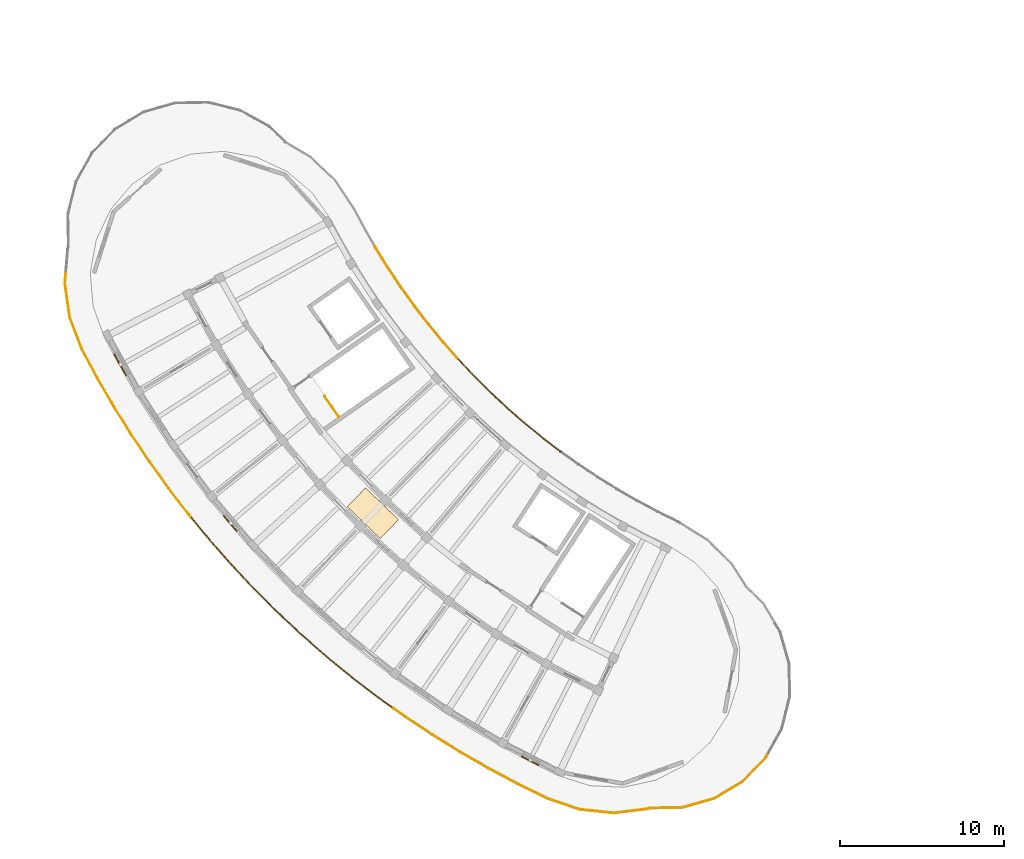
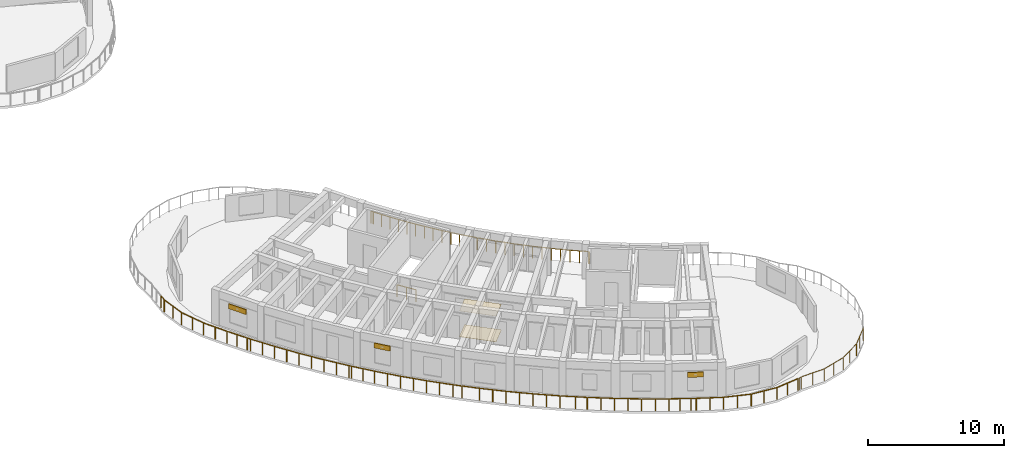
# One storey, part 31 of 41: 10 railings, 3 shading devices, 2 coverings.
"""IFC4 building model written with IfcOpenShell, lengths in metres."""

from ifc_helpers import new_model, si_unit, direction, frame, origin, origin_2d, place, context, subcontext, project, spatial, rectangle, circle, extrude, material, layer, layer_set, type_object, element, save


model = new_model("IFC4")

# Units and contexts
model_context = context("Model", 3, precision=1e-05, world=origin(), true_north=direction((0.0, 1.0)))
body_context = subcontext(model_context, "Body", "Model", "MODEL_VIEW")
ifc_project = project(units=[si_unit("LENGTHUNIT", "METRE"), si_unit("AREAUNIT", "SQUARE_METRE"), si_unit("VOLUMEUNIT", "CUBIC_METRE"), si_unit("PLANEANGLEUNIT", "RADIAN"), si_unit("MASSUNIT", "GRAM", prefix="KILO")], contexts=[model_context])

# Site, building, storey
site_placement = place(None, origin())
site = spatial("IfcSite", under=ifc_project, at=site_placement, CompositionType="ELEMENT")
building_placement = place(site_placement, origin())
building = spatial("IfcBuilding", under=site, at=building_placement, Name="Tanwirah Colonnade Gardens", CompositionType="ELEMENT")
storey_placement = place(building_placement, frame((0.0, 0.0, 35.719970703125)))
storey = spatial("IfcBuildingStorey", under=building, at=storey_placement, Name="L10", CompositionType="ELEMENT", Elevation=35.719970703125)

# Railings
ifc_material_1 = material(Name="Precast concrete C40/50", Category="concrete")
railing_type_1 = type_object("IfcRailingType", Name="BAL-EXT110", PredefinedType="BALUSTRADE", material=ifc_material_1)
railing_1_placement = place(storey_placement, frame((28.326171875, 42.673583984375, 0.0)))
element("IfcRailing", 1, at=railing_1_placement, inside=storey, type_object=railing_type_1, Name="Block C L10 Balcony Ribbon Balustrade 2", PredefinedType="BALUSTRADE", context=body_context, shape_type="SweptSolid", body=[
    extrude(circle(Radius=0.02392578125, at=origin_2d()), frame((0.015625, -0.027099609375, 1.076171875), z_axis=(0.501144215537, -0.865363782021, 0.0), x_axis=(0.865363782021, 0.501144215537, 0.0)), (0.0, 0.0, 1.0), 0.11572265625),
    extrude(circle(Radius=0.02392578125, at=origin_2d()), frame((0.107177734375, -0.18310546875, 1.076171875), z_axis=(0.529022666758, -0.848607693847, 0.0), x_axis=(0.848607693847, 0.529022666758, 0.0)), (0.0, 0.0, 1.0), 1.33154296875),
    extrude(circle(Radius=0.02392578125, at=origin_2d()), frame((0.8466796875, -1.36767578125, 1.076171875), z_axis=(0.55655786635, -0.830808847692, 0.0), x_axis=(0.830808847692, 0.55655786635, 0.0)), (0.0, 0.0, 1.0), 1.33154296875),
    extrude(circle(Radius=0.02392578125, at=origin_2d()), frame((1.625, -2.527587890625, 1.076171875), z_axis=(0.58342309678, -0.812168387802, 0.0), x_axis=(0.812168387802, 0.58342309678, 0.0)), (0.0, 0.0, 1.0), 1.331298828125),
    extrude(circle(Radius=0.02392578125, at=origin_2d()), frame((2.4404296875, -3.661376953125, 1.076171875), z_axis=(0.609651512095, -0.792669561546, 0.0), x_axis=(0.792669561546, 0.609651512095, 0.0)), (0.0, 0.0, 1.0), 1.33154296875),
    extrude(circle(Radius=0.02392578125, at=origin_2d()), frame((3.292724609375, -4.767578125, 1.076171875), z_axis=(0.635209885743, -0.77233956331, 0.0), x_axis=(0.77233956331, 0.635209885743, 0.0)), (0.0, 0.0, 1.0), 1.33154296875),
    extrude(circle(Radius=0.02392578125, at=origin_2d()), frame((4.180908203125, -5.845703125, 1.076171875), z_axis=(0.660133357115, -0.751148421302, 0.0), x_axis=(0.751148421302, 0.660133357115, 0.0)), (0.0, 0.0, 1.0), 1.2734375),
    extrude(circle(Radius=0.02099609375, at=origin_2d()), origin(), (0.0, 0.0, 1.0), 1.049072265625),
    extrude(circle(Radius=0.02099609375, at=origin_2d()), frame((0.08935546875, -0.154296875, 0.0)), (0.0, 0.0, 1.0), 1.049072265625),
    extrude(circle(Radius=0.02099609375, at=origin_2d()), frame((0.45947265625, -0.748046875, 0.0)), (0.0, 0.0, 1.0), 1.049072265625),
    extrude(circle(Radius=0.02099609375, at=origin_2d()), frame((0.828125, -1.339599609375, 0.0)), (0.0, 0.0, 1.0), 1.049072265625),
    extrude(circle(Radius=0.02099609375, at=origin_2d()), frame((1.21728515625, -1.9208984375, 0.0)), (0.0, 0.0, 1.0), 1.049072265625),
    extrude(circle(Radius=0.02099609375, at=origin_2d()), frame((1.605224609375, -2.5, 0.0)), (0.0, 0.0, 1.0), 1.049072265625),
    extrude(circle(Radius=0.02099609375, at=origin_2d()), frame((2.01318359375, -3.068359375, 0.0)), (0.0, 0.0, 1.0), 1.049072265625),
    extrude(circle(Radius=0.02099609375, at=origin_2d()), frame((2.419921875, -3.63427734375, 0.0)), (0.0, 0.0, 1.0), 1.049072265625),
    extrude(circle(Radius=0.02099609375, at=origin_2d()), frame((2.84619140625, -4.18896484375, 0.0)), (0.0, 0.0, 1.0), 1.049072265625),
    extrude(circle(Radius=0.02099609375, at=origin_2d()), frame((3.271240234375, -4.741455078125, 0.0)), (0.0, 0.0, 1.0), 1.049072265625),
    extrude(circle(Radius=0.02099609375, at=origin_2d()), frame((3.7158203125, -5.28173828125, 0.0)), (0.0, 0.0, 1.0), 1.049072265625),
    extrude(circle(Radius=0.02099609375, at=origin_2d()), frame((4.158447265625, -5.820068359375, 0.0)), (0.0, 0.0, 1.0), 1.049072265625),
    extrude(circle(Radius=0.02099609375, at=origin_2d()), frame((5.0419921875, -6.82568359375, 0.0)), (0.0, 0.0, 1.0), 1.049072265625),
])
railing_2_placement = place(storey_placement, frame((33.3681640625, 35.847900390625, 0.0)))
element("IfcRailing", 2, at=railing_2_placement, inside=storey, type_object=railing_type_1, Name="Block C L10 Balcony Ribbon Balustrade 3", PredefinedType="BALUSTRADE", context=body_context, shape_type="SweptSolid", body=[
    extrude(circle(Radius=0.02392578125, at=origin_2d()), frame((0.061767578125, -0.068115234375, 1.076171875), z_axis=(0.684424509294, -0.729083733928, 0.0), x_axis=(0.729083733928, 0.684424509294, 0.0)), (0.0, 0.0, 1.0), 1.33154296875),
    extrude(circle(Radius=0.02392578125, at=origin_2d()), frame((1.018310546875, -1.085693359375, 1.076171875), z_axis=(0.707894448134, -0.706318235855, 0.0), x_axis=(0.706318235855, 0.707894448134, 0.0)), (0.0, 0.0, 1.0), 1.33154296875),
    extrude(circle(Radius=0.02392578125, at=origin_2d()), frame((2.0078125, -2.071533203125, 1.076171875), z_axis=(0.730612417562, -0.682792424756, 0.0), x_axis=(0.682792424756, 0.730612417562, 0.0)), (0.0, 0.0, 1.0), 1.331298828125),
    extrude(circle(Radius=0.02392578125, at=origin_2d()), frame((3.028564453125, -3.0244140625, 1.076171875), z_axis=(0.752565845379, -0.658517006894, 0.0), x_axis=(0.658517006894, 0.752565845379, 0.0)), (0.0, 0.0, 1.0), 1.33154296875),
    extrude(circle(Radius=0.02392578125, at=origin_2d()), frame((4.080322265625, -3.943359375, 1.076171875), z_axis=(0.773762182392, -0.633476191424, 0.0), x_axis=(0.633476191424, 0.773762182392, 0.0)), (0.0, 0.0, 1.0), 1.33154296875),
    extrude(circle(Radius=0.02392578125, at=origin_2d()), frame((5.161865234375, -4.827392578125, 1.076171875), z_axis=(0.793969886309, -0.607957087001, 0.0), x_axis=(0.607957087001, 0.793969886309, 0.0)), (0.0, 0.0, 1.0), 1.331298828125),
    extrude(circle(Radius=0.02099609375, at=origin_2d()), origin(), (0.0, 0.0, 1.0), 1.049072265625),
    extrude(circle(Radius=0.02099609375, at=origin_2d()), frame((0.040283203125, -0.04541015625, 0.0)), (0.0, 0.0, 1.0), 1.049072265625),
    extrude(circle(Radius=0.02099609375, at=origin_2d()), frame((0.517333984375, -0.5537109375, 0.0)), (0.0, 0.0, 1.0), 1.049072265625),
    extrude(circle(Radius=0.02099609375, at=origin_2d()), frame((0.994384765625, -1.061767578125, 0.0)), (0.0, 0.0, 1.0), 1.049072265625),
    extrude(circle(Radius=0.02099609375, at=origin_2d()), frame((1.489501953125, -1.55615234375, 0.0)), (0.0, 0.0, 1.0), 1.049072265625),
    extrude(circle(Radius=0.02099609375, at=origin_2d()), frame((1.98291015625, -2.04833984375, 0.0)), (0.0, 0.0, 1.0), 1.049072265625),
    extrude(circle(Radius=0.02099609375, at=origin_2d()), frame((2.494140625, -2.526123046875, 0.0)), (0.0, 0.0, 1.0), 1.049072265625),
    extrude(circle(Radius=0.02099609375, at=origin_2d()), frame((3.003173828125, -3.001953125, 0.0)), (0.0, 0.0, 1.0), 1.049072265625),
    extrude(circle(Radius=0.02099609375, at=origin_2d()), frame((3.52978515625, -3.462890625, 0.0)), (0.0, 0.0, 1.0), 1.049072265625),
    extrude(circle(Radius=0.02099609375, at=origin_2d()), frame((4.05419921875, -3.921875, 0.0)), (0.0, 0.0, 1.0), 1.049072265625),
    extrude(circle(Radius=0.02099609375, at=origin_2d()), frame((4.595458984375, -4.365234375, 0.0)), (0.0, 0.0, 1.0), 1.049072265625),
    extrude(circle(Radius=0.02099609375, at=origin_2d()), frame((5.134765625, -4.806640625, 0.0)), (0.0, 0.0, 1.0), 1.049072265625),
    extrude(circle(Radius=0.02099609375, at=origin_2d()), frame((5.6904296875, -5.23193359375, 0.0)), (0.0, 0.0, 1.0), 1.049072265625),
    extrude(circle(Radius=0.02099609375, at=origin_2d()), frame((6.24365234375, -5.65576171875, 0.0)), (0.0, 0.0, 1.0), 1.049072265625),
    extrude(circle(Radius=0.02099609375, at=origin_2d()), frame((6.294189453125, -5.69189453125, 0.0)), (0.0, 0.0, 1.0), 1.049072265625),
])
railing_3_placement = place(storey_placement, frame((52.2333984375, 11.68212890625, 0.0)))
element("IfcRailing", 3, at=railing_3_placement, inside=storey, type_object=railing_type_1, Name="Block C L10 Balcony Ribbon Balustrade 7", PredefinedType="BALUSTRADE", context=body_context, shape_type="SweptSolid", body=[
    extrude(circle(Radius=0.02392578125, at=origin_2d()), frame((-0.01513671875, -0.02734375, 1.076171875), z_axis=(-0.484709972142, -0.874674935565, 0.0), x_axis=(0.874674935565, -0.484709972142, 0.0)), (0.0, 0.0, 1.0), 0.115234375),
    extrude(circle(Radius=0.02392578125, at=origin_2d()), frame((-0.10791015625, -0.177978515625, 1.076171875), z_axis=(-0.694702613371, -0.719297072826, 0.0), x_axis=(0.719297072826, -0.694702613371, 0.0)), (0.0, 0.0, 1.0), 1.95263671875),
    extrude(circle(Radius=0.02392578125, at=origin_2d()), frame((-1.512939453125, -1.62109375, 1.076171875), z_axis=(-0.857172054551, -0.515030163095, 0.0), x_axis=(0.515030163095, -0.857172054551, 0.0)), (0.0, 0.0, 1.0), 1.95263671875),
    extrude(circle(Radius=0.02392578125, at=origin_2d()), frame((-3.243408203125, -2.6513671875, 1.076171875), z_axis=(-0.961262912287, -0.275633113871, 0.0), x_axis=(0.275633113871, -0.961262912287, 0.0)), (0.0, 0.0, 1.0), 1.95263671875),
    extrude(circle(Radius=0.02392578125, at=origin_2d()), frame((-5.181640625, -3.19873046875, 1.076171875), z_axis=(-0.999846714586, -0.017508493139, 0.0), x_axis=(0.017508493139, -0.999846714586, 0.0)), (0.0, 0.0, 1.0), 1.903564453125),
    extrude(circle(Radius=0.02392578125, at=origin_2d()), frame((-7.17138671875, -3.247802734375, 1.076171875), z_axis=(-0.941120146282, -0.338072285558, 0.0), x_axis=(0.338072285558, -0.941120146282, 0.0)), (0.0, 0.0, 1.0), 0.071044921875),
    extrude(circle(Radius=0.02392578125, at=origin_2d()), frame((-7.298583984375, -3.2861328125, 1.076171875), z_axis=(-0.992838592555, -0.119463505446, 0.0), x_axis=(0.119463505446, -0.992838592555, 0.0)), (0.0, 0.0, 1.0), 0.088623046875),
    extrude(circle(Radius=0.02099609375, at=origin_2d()), origin(), (0.0, 0.0, 1.0), 1.049072265625),
    extrude(circle(Radius=0.02099609375, at=origin_2d()), frame((-0.086181640625, -0.155517578125, 0.0)), (0.0, 0.0, 1.0), 1.049072265625),
    extrude(circle(Radius=0.02099609375, at=origin_2d()), frame((-0.7861328125, -0.88037109375, 0.0)), (0.0, 0.0, 1.0), 1.049072265625),
    extrude(circle(Radius=0.02099609375, at=origin_2d()), frame((-1.486083984375, -1.60498046875, 0.0)), (0.0, 0.0, 1.0), 1.049072265625),
    extrude(circle(Radius=0.02099609375, at=origin_2d()), frame((-2.349609375, -2.1240234375, 0.0)), (0.0, 0.0, 1.0), 1.049072265625),
    extrude(circle(Radius=0.02099609375, at=origin_2d()), frame((-3.21337890625, -2.642822265625, 0.0)), (0.0, 0.0, 1.0), 1.049072265625),
    extrude(circle(Radius=0.02099609375, at=origin_2d()), frame((-4.181884765625, -2.92041015625, 0.0)), (0.0, 0.0, 1.0), 1.049072265625),
    extrude(circle(Radius=0.02099609375, at=origin_2d()), frame((-5.150390625, -3.1982421875, 0.0)), (0.0, 0.0, 1.0), 1.049072265625),
    extrude(circle(Radius=0.02099609375, at=origin_2d()), frame((-6.13330078125, -3.21533203125, 0.0)), (0.0, 0.0, 1.0), 1.049072265625),
    extrude(circle(Radius=0.02099609375, at=origin_2d()), frame((-7.1162109375, -3.232666015625, 0.0)), (0.0, 0.0, 1.0), 1.049072265625),
    extrude(circle(Radius=0.02099609375, at=origin_2d()), frame((-7.267578125, -3.282470703125, 0.0)), (0.0, 0.0, 1.0), 1.049072265625),
    extrude(circle(Radius=0.02099609375, at=origin_2d()), frame((-7.417724609375, -3.300537109375, 0.0)), (0.0, 0.0, 1.0), 1.049072265625),
])
railing_4_placement = place(storey_placement, frame((44.815673828125, 8.381591796875, 0.0)))
element("IfcRailing", 4, at=railing_4_placement, inside=storey, type_object=railing_type_1, Name="Block C L10 Balcony Ribbon Balustrade 8", PredefinedType="BALUSTRADE", context=body_context, shape_type="SweptSolid", body=[
    extrude(circle(Radius=0.02392578125, at=origin_2d()), frame((-0.031005859375, -0.003662109375, 1.076171875), z_axis=(-0.992764796236, -0.120075223735, 0.0), x_axis=(0.120075223735, -0.992764796236, 0.0)), (0.0, 0.0, 1.0), 1.873046875),
    extrude(circle(Radius=0.02392578125, at=origin_2d()), frame((-1.95263671875, -0.229248046875, 1.076171875), z_axis=(-0.99458974046, 0.103880932666, 0.0), x_axis=(-0.103880932666, -0.99458974046, 0.0)), (0.0, 0.0, 1.0), 2.0244140625),
    extrude(circle(Radius=0.02392578125, at=origin_2d()), frame((-4.02685546875, -0.005615234375, 1.076171875), z_axis=(-0.946524776509, 0.322631132185, 0.0), x_axis=(-0.322631132185, -0.946524776509, 0.0)), (0.0, 0.0, 1.0), 2.0283203125),
    extrude(circle(Radius=0.02392578125, at=origin_2d()), frame((-6.00439453125, 0.6728515625, 1.076171875), z_axis=(-0.897357880306, 0.441303562927, 0.0), x_axis=(-0.441303562927, -0.897357880306, 0.0)), (0.0, 0.0, 1.0), 1.940185546875),
    extrude(circle(Radius=0.02392578125, at=origin_2d()), frame((-7.801025390625, 1.557373046875, 1.076171875), z_axis=(-0.882282497134, 0.470720294073, 0.0), x_axis=(-0.470720294073, -0.882282497134, 0.0)), (0.0, 0.0, 1.0), 0.3212890625),
    extrude(circle(Radius=0.02099609375, at=origin_2d()), origin(), (0.0, 0.0, 1.0), 1.049072265625),
    extrude(circle(Radius=0.02099609375, at=origin_2d()), frame((-0.9609375, -0.1162109375, 0.0)), (0.0, 0.0, 1.0), 1.049072265625),
    extrude(circle(Radius=0.02099609375, at=origin_2d()), frame((-1.921630859375, -0.232421875, 0.0)), (0.0, 0.0, 1.0), 1.049072265625),
    extrude(circle(Radius=0.02099609375, at=origin_2d()), frame((-2.95947265625, -0.1240234375, 0.0)), (0.0, 0.0, 1.0), 1.049072265625),
    extrude(circle(Radius=0.02099609375, at=origin_2d()), frame((-3.997314453125, -0.015625, 0.0)), (0.0, 0.0, 1.0), 1.049072265625),
    extrude(circle(Radius=0.02099609375, at=origin_2d()), frame((-4.98681640625, 0.32177734375, 0.0)), (0.0, 0.0, 1.0), 1.049072265625),
    extrude(circle(Radius=0.02099609375, at=origin_2d()), frame((-5.976318359375, 0.658935546875, 0.0)), (0.0, 0.0, 1.0), 1.049072265625),
    extrude(circle(Radius=0.02099609375, at=origin_2d()), frame((-6.875, 1.100830078125, 0.0)), (0.0, 0.0, 1.0), 1.049072265625),
    extrude(circle(Radius=0.02099609375, at=origin_2d()), frame((-7.7734375, 1.542724609375, 0.0)), (0.0, 0.0, 1.0), 1.049072265625),
    extrude(circle(Radius=0.02099609375, at=origin_2d()), frame((-8.112060546875, 1.723388671875, 0.0)), (0.0, 0.0, 1.0), 1.049072265625),
])
railing_5_placement = place(storey_placement, frame((36.70361328125, 10.10498046875, 0.0)))
element("IfcRailing", 5, at=railing_5_placement, inside=storey, type_object=railing_type_1, Name="Block C L10 Balcony Ribbon Balustrade 9", PredefinedType="BALUSTRADE", context=body_context, shape_type="SweptSolid", body=[
    extrude(circle(Radius=0.02392578125, at=origin_2d()), frame((-0.027587890625, 0.0146484375, 1.076171875), z_axis=(-0.88244870126, 0.470408641125, 0.0), x_axis=(-0.470408641125, -0.88244870126, 0.0)), (0.0, 0.0, 1.0), 1.560302734375),
    extrude(circle(Radius=0.02392578125, at=origin_2d()), frame((-1.459228515625, 0.779052734375, 1.076171875), z_axis=(-0.866598539642, 0.499005983021, 0.0), x_axis=(-0.499005983021, -0.866598539642, 0.0)), (0.0, 0.0, 1.0), 1.94384765625),
    extrude(circle(Radius=0.02392578125, at=origin_2d()), frame((-3.197509765625, 1.78125, 1.076171875), z_axis=(-0.84977735452, 0.527141771959, 0.0), x_axis=(-0.527141771959, -0.84977735452, 0.0)), (0.0, 0.0, 1.0), 1.9443359375),
    extrude(circle(Radius=0.02392578125, at=origin_2d()), frame((-4.90234375, 2.83984375, 1.076171875), z_axis=(-0.832069011603, 0.554672119301, 0.0), x_axis=(-0.554672119301, -0.832069011603, 0.0)), (0.0, 0.0, 1.0), 1.944091796875),
    extrude(circle(Radius=0.02392578125, at=origin_2d()), frame((-6.5712890625, 3.95361328125, 1.076171875), z_axis=(-0.813463953484, 0.581615333689, 0.0), x_axis=(-0.581615333689, -0.813463953484, 0.0)), (0.0, 0.0, 1.0), 0.794677734375),
    extrude(circle(Radius=0.02099609375, at=origin_2d()), origin(), (0.0, 0.0, 1.0), 1.049072265625),
    extrude(circle(Radius=0.02099609375, at=origin_2d()), frame((-0.716064453125, 0.3818359375, 0.0)), (0.0, 0.0, 1.0), 1.049072265625),
    extrude(circle(Radius=0.02099609375, at=origin_2d()), frame((-1.43212890625, 0.763427734375, 0.0)), (0.0, 0.0, 1.0), 1.049072265625),
    extrude(circle(Radius=0.02099609375, at=origin_2d()), frame((-2.301513671875, 1.26416015625, 0.0)), (0.0, 0.0, 1.0), 1.049072265625),
    extrude(circle(Radius=0.02099609375, at=origin_2d()), frame((-3.1708984375, 1.7646484375, 0.0)), (0.0, 0.0, 1.0), 1.049072265625),
    extrude(circle(Radius=0.02099609375, at=origin_2d()), frame((-4.0234375, 2.29345703125, 0.0)), (0.0, 0.0, 1.0), 1.049072265625),
    extrude(circle(Radius=0.02099609375, at=origin_2d()), frame((-4.876220703125, 2.822509765625, 0.0)), (0.0, 0.0, 1.0), 1.049072265625),
    extrude(circle(Radius=0.02099609375, at=origin_2d()), frame((-5.7109375, 3.37890625, 0.0)), (0.0, 0.0, 1.0), 1.049072265625),
    extrude(circle(Radius=0.02099609375, at=origin_2d()), frame((-6.5458984375, 3.935546875, 0.0)), (0.0, 0.0, 1.0), 1.049072265625),
    extrude(circle(Radius=0.02099609375, at=origin_2d()), frame((-7.2431640625, 4.43408203125, 0.0)), (0.0, 0.0, 1.0), 1.049072265625),
])
railing_6_placement = place(storey_placement, frame((29.46044921875, 14.5390625, 0.0)))
element("IfcRailing", 6, at=railing_6_placement, inside=storey, type_object=railing_type_1, Name="Block C L10 Balcony Ribbon Balustrade 10", PredefinedType="BALUSTRADE", context=body_context, shape_type="SweptSolid", body=[
    extrude(circle(Radius=0.02392578125, at=origin_2d()), frame((-0.025390625, 0.01806640625, 1.076171875), z_axis=(-0.813503782758, 0.581559623288, 0.0), x_axis=(-0.581559623288, -0.813503782758, 0.0)), (0.0, 0.0, 1.0), 1.0869140625),
    extrude(circle(Radius=0.02392578125, at=origin_2d()), frame((-0.9599609375, 0.6875, 1.076171875), z_axis=(-0.794033083107, 0.607874545388, 0.0), x_axis=(-0.607874545388, -0.794033083107, 0.0)), (0.0, 0.0, 1.0), 1.944091796875),
    extrude(circle(Radius=0.02392578125, at=origin_2d()), frame((-2.552490234375, 1.907958984375, 1.076171875), z_axis=(-0.773707873236, 0.633542521771, 0.0), x_axis=(-0.633542521771, -0.773707873236, 0.0)), (0.0, 0.0, 1.0), 1.944091796875),
    extrude(circle(Radius=0.02392578125, at=origin_2d()), frame((-4.104248046875, 3.179931640625, 1.076171875), z_axis=(-0.752508858808, 0.658582126553, 0.0), x_axis=(-0.658582126553, -0.752508858808, 0.0)), (0.0, 0.0, 1.0), 1.944091796875),
    extrude(circle(Radius=0.02392578125, at=origin_2d()), frame((-5.61376953125, 4.502197265625, 1.076171875), z_axis=(-0.730640324135, 0.682762562498, 0.0), x_axis=(-0.682762562498, -0.730640324135, 0.0)), (0.0, 0.0, 1.0), 1.268310546875),
    extrude(circle(Radius=0.02099609375, at=origin_2d()), origin(), (0.0, 0.0, 1.0), 1.049072265625),
    extrude(circle(Radius=0.02099609375, at=origin_2d()), frame((-0.93505859375, 0.66845703125, 0.0)), (0.0, 0.0, 1.0), 1.049072265625),
    extrude(circle(Radius=0.02099609375, at=origin_2d()), frame((-1.731689453125, 1.2783203125, 0.0)), (0.0, 0.0, 1.0), 1.049072265625),
    extrude(circle(Radius=0.02099609375, at=origin_2d()), frame((-2.5283203125, 1.88818359375, 0.0)), (0.0, 0.0, 1.0), 1.049072265625),
    extrude(circle(Radius=0.02099609375, at=origin_2d()), frame((-3.3046875, 2.52392578125, 0.0)), (0.0, 0.0, 1.0), 1.049072265625),
    extrude(circle(Radius=0.02099609375, at=origin_2d()), frame((-4.080810546875, 3.159423828125, 0.0)), (0.0, 0.0, 1.0), 1.049072265625),
    extrude(circle(Radius=0.02099609375, at=origin_2d()), frame((-4.8359375, 3.8203125, 0.0)), (0.0, 0.0, 1.0), 1.049072265625),
    extrude(circle(Radius=0.02099609375, at=origin_2d()), frame((-5.5908203125, 4.48095703125, 0.0)), (0.0, 0.0, 1.0), 1.049072265625),
    extrude(circle(Radius=0.02099609375, at=origin_2d()), frame((-6.563232421875, 5.3896484375, 0.0)), (0.0, 0.0, 1.0), 1.049072265625),
])
railing_7_placement = place(storey_placement, frame((22.897216796875, 19.9287109375, 0.0)))
element("IfcRailing", 7, at=railing_7_placement, inside=storey, type_object=railing_type_1, Name="Block C L10 Balcony Ribbon Balustrade 11", PredefinedType="BALUSTRADE", context=body_context, shape_type="SweptSolid", body=[
    extrude(circle(Radius=0.02392578125, at=origin_2d()), frame((-0.02294921875, 0.021240234375, 1.076171875), z_axis=(-0.73055044851, 0.682858727836, 0.0), x_axis=(-0.682858727836, -0.73055044851, 0.0)), (0.0, 0.0, 1.0), 0.61328125),
    extrude(circle(Radius=0.02392578125, at=origin_2d()), frame((-0.515869140625, 0.4833984375, 1.076171875), z_axis=(-0.707897217537, 0.706315460261, 0.0), x_axis=(-0.706315460261, -0.707897217537, 0.0)), (0.0, 0.0, 1.0), 1.944091796875),
    extrude(circle(Radius=0.02392578125, at=origin_2d()), frame((-1.935546875, 1.9013671875, 1.076171875), z_axis=(-0.684365955264, 0.729138696871, 0.0), x_axis=(-0.729138696871, -0.684365955264, 0.0)), (0.0, 0.0, 1.0), 1.944091796875),
    extrude(circle(Radius=0.02392578125, at=origin_2d()), frame((-3.30810546875, 3.365234375, 1.076171875), z_axis=(-0.660199900943, 0.751089935224, 0.0), x_axis=(-0.751089935224, -0.660199900943, 0.0)), (0.0, 0.0, 1.0), 1.944091796875),
    extrude(circle(Radius=0.02392578125, at=origin_2d()), frame((-4.6318359375, 4.873046875, 1.076171875), z_axis=(-0.635180734155, 0.772363538082, 0.0), x_axis=(-0.772363538082, -0.635180734155, 0.0)), (0.0, 0.0, 1.0), 1.741943359375),
    extrude(circle(Radius=0.02099609375, at=origin_2d()), origin(), (0.0, 0.0, 1.0), 1.049072265625),
    extrude(circle(Radius=0.02099609375, at=origin_2d()), frame((-0.49365234375, 0.46142578125, 0.0)), (0.0, 0.0, 1.0), 1.049072265625),
    extrude(circle(Radius=0.02099609375, at=origin_2d()), frame((-1.203857421875, 1.169921875, 0.0)), (0.0, 0.0, 1.0), 1.049072265625),
    extrude(circle(Radius=0.02099609375, at=origin_2d()), frame((-1.9140625, 1.878662109375, 0.0)), (0.0, 0.0, 1.0), 1.049072265625),
    extrude(circle(Radius=0.02099609375, at=origin_2d()), frame((-2.6005859375, 2.6103515625, 0.0)), (0.0, 0.0, 1.0), 1.049072265625),
    extrude(circle(Radius=0.02099609375, at=origin_2d()), frame((-3.287353515625, 3.341796875, 0.0)), (0.0, 0.0, 1.0), 1.049072265625),
    extrude(circle(Radius=0.02099609375, at=origin_2d()), frame((-3.94970703125, 4.09521484375, 0.0)), (0.0, 0.0, 1.0), 1.049072265625),
    extrude(circle(Radius=0.02099609375, at=origin_2d()), frame((-4.612060546875, 4.848876953125, 0.0)), (0.0, 0.0, 1.0), 1.049072265625),
    extrude(circle(Radius=0.02099609375, at=origin_2d()), frame((-5.18505859375, 5.5458984375, 0.0)), (0.0, 0.0, 1.0), 1.049072265625),
    extrude(circle(Radius=0.02099609375, at=origin_2d()), frame((-5.75830078125, 6.24267578125, 0.0)), (0.0, 0.0, 1.0), 1.049072265625),
])
railing_8_placement = place(storey_placement, frame((17.138916015625, 26.17138671875, 0.0)))
element("IfcRailing", 8, at=railing_8_placement, inside=storey, type_object=railing_type_1, Name="Block C L10 Balcony Ribbon Balustrade 12", PredefinedType="BALUSTRADE", context=body_context, shape_type="SweptSolid", body=[
    extrude(circle(Radius=0.02392578125, at=origin_2d()), frame((-0.019775390625, 0.024169921875, 1.076171875), z_axis=(-0.635537833874, 0.772069725941, 0.0), x_axis=(-0.772069725941, -0.635537833874, 0.0)), (0.0, 0.0, 1.0), 0.1396484375),
    extrude(circle(Radius=0.02392578125, at=origin_2d()), frame((-0.1474609375, 0.1806640625, 1.076171875), z_axis=(-0.609669601555, 0.7926556484, 0.0), x_axis=(-0.7926556484, -0.609669601555, 0.0)), (0.0, 0.0, 1.0), 1.944091796875),
    extrude(circle(Radius=0.02392578125, at=origin_2d()), frame((-1.3701171875, 1.77197265625, 1.076171875), z_axis=(-0.583285007996, 0.812267566413, 0.0), x_axis=(-0.812267566413, -0.583285007996, 0.0)), (0.0, 0.0, 1.0), 1.944091796875),
    extrude(circle(Radius=0.02392578125, at=origin_2d()), frame((-2.53955078125, 3.40234375, 1.076171875), z_axis=(-0.556495801451, 0.830850421537, 0.0), x_axis=(-0.830850421537, -0.556495801451, 0.0)), (0.0, 0.0, 1.0), 1.944091796875),
    extrude(circle(Radius=0.02392578125, at=origin_2d()), frame((-3.655517578125, 5.0703125, 1.076171875), z_axis=(-0.529003375217, 0.848619719903, 0.0), x_axis=(-0.848619719903, -0.529003375217, 0.0)), (0.0, 0.0, 1.0), 1.944091796875),
    extrude(circle(Radius=0.02392578125, at=origin_2d()), frame((-4.716064453125, 6.773681640625, 1.076171875), z_axis=(-0.501071731145, 0.865405754688, 0.0), x_axis=(-0.865405754688, -0.501071731145, 0.0)), (0.0, 0.0, 1.0), 0.208984375),
    extrude(circle(Radius=0.02099609375, at=origin_2d()), origin(), (0.0, 0.0, 1.0), 1.049072265625),
    extrude(circle(Radius=0.02099609375, at=origin_2d()), frame((-0.12841796875, 0.156005859375, 0.0)), (0.0, 0.0, 1.0), 1.049072265625),
    extrude(circle(Radius=0.02099609375, at=origin_2d()), frame((-0.740234375, 0.951171875, 0.0)), (0.0, 0.0, 1.0), 1.049072265625),
    extrude(circle(Radius=0.02099609375, at=origin_2d()), frame((-1.351806640625, 1.74658203125, 0.0)), (0.0, 0.0, 1.0), 1.049072265625),
    extrude(circle(Radius=0.02099609375, at=origin_2d()), frame((-1.93701171875, 2.5615234375, 0.0)), (0.0, 0.0, 1.0), 1.049072265625),
    extrude(circle(Radius=0.02099609375, at=origin_2d()), frame((-2.522216796875, 3.37646484375, 0.0)), (0.0, 0.0, 1.0), 1.049072265625),
    extrude(circle(Radius=0.02099609375, at=origin_2d()), frame((-3.08056640625, 4.2099609375, 0.0)), (0.0, 0.0, 1.0), 1.049072265625),
    extrude(circle(Radius=0.02099609375, at=origin_2d()), frame((-3.638916015625, 5.043701171875, 0.0)), (0.0, 0.0, 1.0), 1.049072265625),
    extrude(circle(Radius=0.02099609375, at=origin_2d()), frame((-4.169677734375, 5.89501953125, 0.0)), (0.0, 0.0, 1.0), 1.049072265625),
    extrude(circle(Radius=0.02099609375, at=origin_2d()), frame((-4.700439453125, 6.74658203125, 0.0)), (0.0, 0.0, 1.0), 1.049072265625),
    extrude(circle(Radius=0.02099609375, at=origin_2d()), frame((-4.83642578125, 6.9814453125, 0.0)), (0.0, 0.0, 1.0), 1.049072265625),
])
railing_9_placement = place(storey_placement, frame((12.302490234375, 33.15283203125, 0.0)))
element("IfcRailing", 9, at=railing_9_placement, inside=storey, type_object=railing_type_1, Name="Block C L10 Balcony Ribbon Balustrade 13", PredefinedType="BALUSTRADE", context=body_context, shape_type="SweptSolid", body=[
    extrude(circle(Radius=0.02392578125, at=origin_2d()), frame((-0.015625, 0.027099609375, 1.076171875), z_axis=(-0.500919787965, 0.865493712296, 0.0), x_axis=(-0.865493712296, -0.500919787965, 0.0)), (0.0, 0.0, 1.0), 1.672607421875),
    extrude(circle(Radius=0.02392578125, at=origin_2d()), frame((-0.8837890625, 1.529296875, 1.076171875), z_axis=(-0.472390551626, 0.881389338905, 0.0), x_axis=(-0.881389338905, -0.472390551626, 0.0)), (0.0, 0.0, 1.0), 1.940185546875),
    extrude(circle(Radius=0.02392578125, at=origin_2d()), frame((-1.826416015625, 3.296142578125, 1.076171875), z_axis=(-0.355432017333, 0.934702134937, 0.0), x_axis=(-0.934702134937, -0.355432017333, 0.0)), (0.0, 0.0, 1.0), 2.0283203125),
    extrude(circle(Radius=0.02392578125, at=origin_2d()), frame((-2.562744140625, 5.252197265625, 1.076171875), z_axis=(-0.138521623248, 0.990359409453, 0.0), x_axis=(-0.990359409453, -0.138521623248, 0.0)), (0.0, 0.0, 1.0), 2.024169921875),
    extrude(circle(Radius=0.02392578125, at=origin_2d()), frame((-2.8447265625, 7.319091796875, 1.076171875), z_axis=(0.085187946181, 0.996364899937, 0.0), x_axis=(-0.996364899937, 0.085187946181, 0.0)), (0.0, 0.0, 1.0), 0.522216796875),
    extrude(circle(Radius=0.02099609375, at=origin_2d()), origin(), (0.0, 0.0, 1.0), 1.049072265625),
    extrude(circle(Radius=0.02099609375, at=origin_2d()), frame((-0.4345703125, 0.7509765625, 0.0)), (0.0, 0.0, 1.0), 1.049072265625),
    extrude(circle(Radius=0.02099609375, at=origin_2d()), frame((-0.869140625, 1.501708984375, 0.0)), (0.0, 0.0, 1.0), 1.049072265625),
    extrude(circle(Radius=0.02099609375, at=origin_2d()), frame((-1.34228515625, 2.38427734375, 0.0)), (0.0, 0.0, 1.0), 1.049072265625),
    extrude(circle(Radius=0.02099609375, at=origin_2d()), frame((-1.815185546875, 3.266845703125, 0.0)), (0.0, 0.0, 1.0), 1.049072265625),
    extrude(circle(Radius=0.02099609375, at=origin_2d()), frame((-2.186767578125, 4.244140625, 0.0)), (0.0, 0.0, 1.0), 1.049072265625),
    extrude(circle(Radius=0.02099609375, at=origin_2d()), frame((-2.558349609375, 5.22119140625, 0.0)), (0.0, 0.0, 1.0), 1.049072265625),
    extrude(circle(Radius=0.02099609375, at=origin_2d()), frame((-2.702880859375, 6.25439453125, 0.0)), (0.0, 0.0, 1.0), 1.049072265625),
    extrude(circle(Radius=0.02099609375, at=origin_2d()), frame((-2.847412109375, 7.287841796875, 0.0)), (0.0, 0.0, 1.0), 1.049072265625),
    extrude(circle(Radius=0.02099609375, at=origin_2d()), frame((-2.797607421875, 7.870361328125, 0.0)), (0.0, 0.0, 1.0), 1.049072265625),
])

# Coverings
ifc_material_2 = material(Name="Acoustic perforated gypsum ceiling board")
ifc_layer_1 = layer(ifc_material_2, 0.014892578125)
ifc_layer_set_1 = layer_set([ifc_layer_1], Name="Acoustic perforated gypsum ceiling board")
covering_type_1 = type_object("IfcCoveringType", Name="COV-CEIL15", PredefinedType="CEILING", material=ifc_layer_set_1)
covering_1_placement = place(storey_placement, frame((28.2177734375, 26.410888671875, 2.3125), z_axis=(0.0, 0.0, 1.0), x_axis=(0.719339800339, -0.694658370459, 0.0)))
element("IfcCovering", 10, at=covering_1_placement, inside=storey, type_object=covering_type_1, Name="Block C L10 Corridor Acoustic Ceiling", PredefinedType="CEILING", context=body_context, shape_type="SweptSolid", body=[
    extrude(rectangle(XDim=2.800048828125, YDim=1.60009765625, at=origin_2d()), origin(), (0.0, 0.0, 1.0), 0.014892578125),
])
ifc_material_3 = material(Name="Honed Abu Dhabi limestone terrazzo flooring", Category="masonry")
ifc_layer_2 = layer(ifc_material_3, 0.02001953125)
ifc_layer_set_2 = layer_set([ifc_layer_2], Name="Honed Abu Dhabi limestone terrazzo flooring")
covering_type_2 = type_object("IfcCoveringType", Name="COV-FLR20", PredefinedType="FLOORING", material=ifc_layer_set_2)
covering_2_placement = place(storey_placement, frame((28.2177734375, 26.410888671875, 0.0), z_axis=(0.0, 0.0, 1.0), x_axis=(0.719339800339, -0.694658370459, 0.0)))
element("IfcCovering", 11, at=covering_2_placement, inside=storey, type_object=covering_type_2, Name="Block C L10 Corridor Terrazzo Flooring", PredefinedType="FLOORING", context=body_context, shape_type="SweptSolid", body=[
    extrude(rectangle(XDim=2.800048828125, YDim=1.60009765625, at=origin_2d()), origin(), (0.0, 0.0, 1.0), 0.02001953125),
])

# Railing
ifc_material_4 = material(Name="Powder-coated galvanized steel", Category="steel")
railing_type_2 = type_object("IfcRailingType", Name="GRD-ST110", PredefinedType="GUARDRAIL", material=ifc_material_4)
railing_10_placement = place(storey_placement, frame((26.148193359375, 32.29052734375, 0.0)))
element("IfcRailing", 12, at=railing_10_placement, inside=storey, type_object=railing_type_2, Name="L10 ST-C1 top well guard 1", PredefinedType="GUARDRAIL", context=body_context, shape_type="SweptSolid", body=[
    extrude(circle(Radius=0.02392578125, at=origin_2d()), frame((-0.017822265625, 0.025634765625, 1.076171875), z_axis=(-0.573579377721, 0.819149984711, 0.0), x_axis=(-0.819149984711, -0.573579377721, 0.0)), (0.0, 0.0, 1.0), 1.4775390625),
    extrude(circle(Radius=0.02099609375, at=origin_2d()), origin(), (0.0, 0.0, 1.0), 1.049072265625),
    extrude(circle(Radius=0.02099609375, at=origin_2d()), frame((-0.441650390625, 0.630859375, 0.0)), (0.0, 0.0, 1.0), 1.049072265625),
    extrude(circle(Radius=0.02099609375, at=origin_2d()), frame((-0.88330078125, 1.261474609375, 0.0)), (0.0, 0.0, 1.0), 1.049072265625),
])

# Shading devices
ifc_material_5 = material(Name="Perforated architectural bronze aluminium", Category="aluminium")
ifc_layer_3 = layer(ifc_material_5, 0.050048828125)
ifc_layer_set_3 = layer_set([ifc_layer_3], Name="Perforated architectural bronze aluminium")
shading_device_type = type_object("IfcShadingDeviceType", Name="SHD-OVH1", PredefinedType="SHUTTER", material=ifc_layer_set_3)
shading_device_1_placement = place(storey_placement, frame((12.813720703125, 35.4580078125, 1.8701171875), z_axis=(0.0, 0.0, 1.0), x_axis=(0.486716582508, -0.873559939736, 0.0)))
element("IfcShadingDevice", 13, at=shading_device_1_placement, inside=storey, type_object=shading_device_type, Name="Solar shading louver hood C-L10-03", PredefinedType="SHUTTER", context=body_context, shape_type="SweptSolid", body=[
    extrude(rectangle(XDim=1.5, YDim=0.06005859375, at=origin_2d()), origin(), (0.0, 0.0, 1.0), 0.449951171875),
])
shading_device_2_placement = place(storey_placement, frame((19.52099609375, 25.789306640625, 1.98486328125), z_axis=(0.0, 0.0, 1.0), x_axis=(0.647788628629, -0.761820118282, 0.0)))
element("IfcShadingDevice", 14, at=shading_device_2_placement, inside=storey, type_object=shading_device_type, Name="Solar shading louver hood C-L10-06", PredefinedType="SHUTTER", context=body_context, shape_type="SweptSolid", body=[
    extrude(rectangle(XDim=1.25, YDim=0.06005859375, at=origin_2d()), origin(), (0.0, 0.0, 1.0), 0.449951171875),
])
shading_device_3_placement = place(storey_placement, frame((37.796875, 11.33203125, 1.8701171875), z_axis=(0.0, 0.0, 1.0), x_axis=(0.890013590842, -0.455933995352, 0.0)))
element("IfcShadingDevice", 15, at=shading_device_3_placement, inside=storey, type_object=shading_device_type, Name="Solar shading louver hood C-L10-12", PredefinedType="SHUTTER", context=body_context, shape_type="SweptSolid", body=[
    extrude(rectangle(XDim=1.159912109375, YDim=0.06005859375, at=origin_2d()), origin(), (0.0, 0.0, 1.0), 0.449951171875),
])

save(model, "model.ifc")
